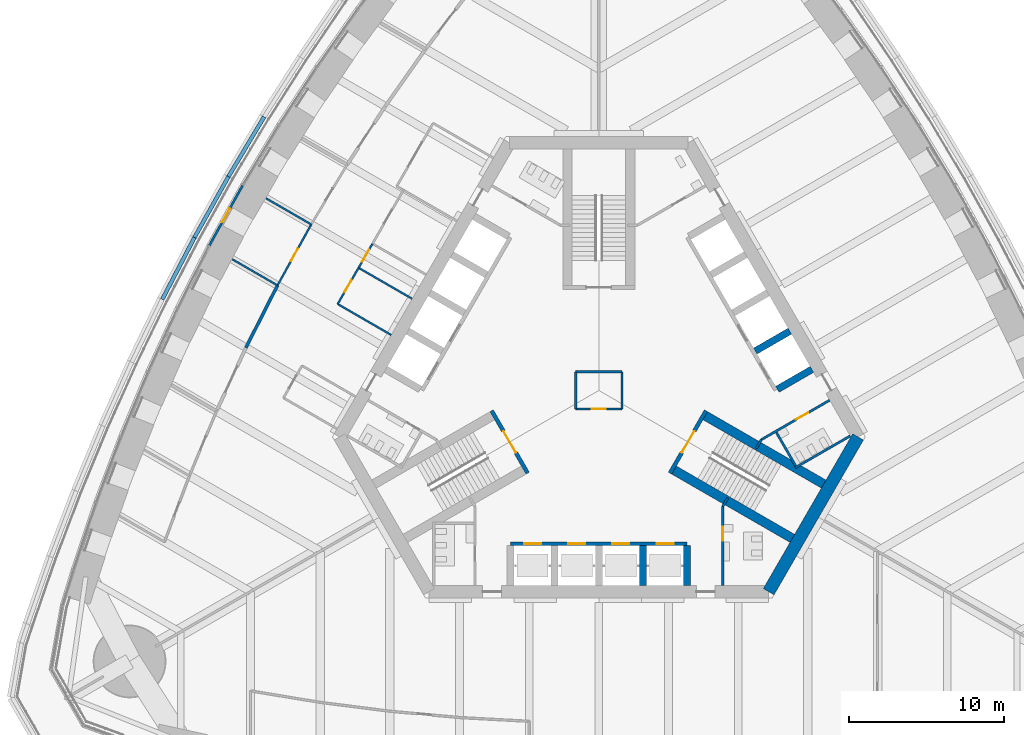
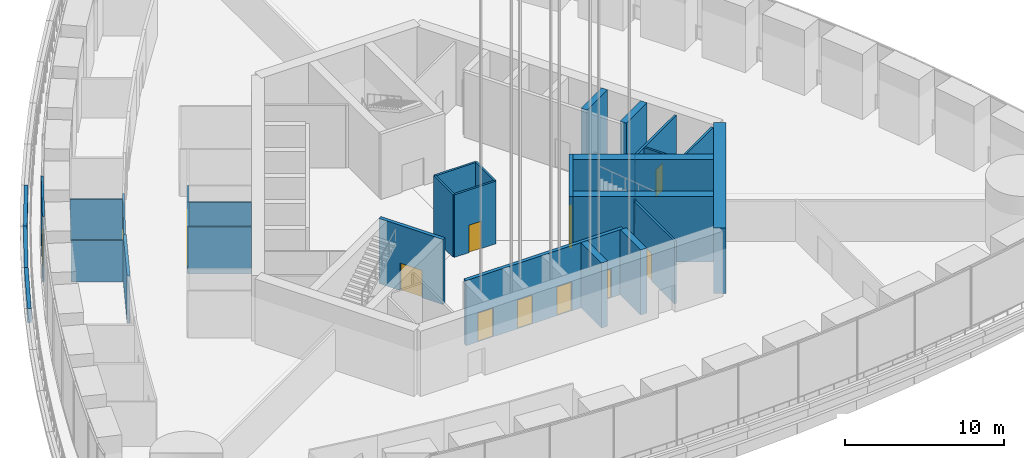
# One storey, part 15 of 33: 32 walls, 13 doors, 13 openings.
"""IFC4 building model written with IfcOpenShell, lengths in metres."""

from ifc_helpers import new_model, si_unit, direction, frame, frame_2d, origin, place, context, subcontext, project, spatial, rectangle, extrude, material, layer, layer_set, type_object, element, fill, save


model = new_model("IFC4")

# Units and contexts
model_context = context("Model", 3, precision=1e-05, world=origin(), true_north=direction((0.0, 1.0)))
body_context = subcontext(model_context, "Body", "Model", "MODEL_VIEW")
ifc_project = project(units=[si_unit("LENGTHUNIT", "METRE"), si_unit("AREAUNIT", "SQUARE_METRE"), si_unit("VOLUMEUNIT", "CUBIC_METRE"), si_unit("PLANEANGLEUNIT", "RADIAN"), si_unit("MASSUNIT", "GRAM", prefix="KILO")], contexts=[model_context])

# Site, building, storey
site_placement = place(None, origin())
site = spatial("IfcSite", under=ifc_project, at=site_placement, CompositionType="ELEMENT")
building_placement = place(site_placement, origin())
building = spatial("IfcBuilding", under=site, at=building_placement, Name="Trefoil Bronze Tower", CompositionType="ELEMENT")
storey_placement = place(building_placement, frame((0.0, 0.0, 98.10009765625)))
storey = spatial("IfcBuildingStorey", under=building, at=storey_placement, Name="L22", CompositionType="ELEMENT", Elevation=98.10009765625)

# Walls
ifc_material_1 = material(Name="Gypsum board on steel studs", Category="steel")
ifc_layer_1 = layer(ifc_material_1, 0.199951171875)
ifc_layer_set_1 = layer_set([ifc_layer_1], Name="Acoustic partition 200")
wall_type_1 = type_object("IfcWallType", Name="Acoustic partition 200", PredefinedType="PARTITIONING", material=ifc_layer_set_1)
wall_1_placement = place(storey_placement, frame((-20.755615234375, 6.787109375, 0.0), z_axis=(0.0, 0.0, 1.0), x_axis=(-0.452471679136, -0.891778772779, 0.0)))
element("IfcWall", 1, at=wall_1_placement, inside=storey, type_object=wall_type_1, Name="Partition F3 L22", PredefinedType="PARTITIONING", context=body_context, shape_type="SweptSolid", body=[
    extrude(rectangle(XDim=4.506591796875, YDim=0.199951171875, at=frame_2d((2.25341796875, 0.0))), origin(), (0.0, 0.0, 1.0), 3.599853515625),
])
ifc_material_2 = material(Name="Concrete B80", Category="concrete")
ifc_layer_2 = layer(ifc_material_2, 0.800048828125)
ifc_layer_set_2 = layer_set([ifc_layer_2], Name="Core wall 800")
wall_type_2 = type_object("IfcWallType", Name="Core wall 800", PredefinedType="SHEAR", material=ifc_layer_set_2)
wall_2_placement = place(storey_placement, frame((10.9697265625, -13.0, 0.0), z_axis=(0.0, 0.0, 1.0), x_axis=(0.499995765644, 0.866027848477, 0.0)))
element("IfcWall", 2, at=wall_2_placement, inside=storey, type_object=wall_type_2, Name="Core short wall 1 L22", PredefinedType="SHEAR", context=body_context, shape_type="SweptSolid", body=[
    extrude(rectangle(XDim=11.546875, YDim=0.800048828125, at=frame_2d((5.7734375, 0.0))), origin(), (0.0, 0.0, 1.0), 5.0),
])

# Wall, opening, door
ifc_material_3 = material(Name="Bronze-framed glazed screen", Category="glass")
ifc_layer_3 = layer(ifc_material_3, 0.14990234375)
ifc_layer_set_3 = layer_set([ifc_layer_3], Name="Entrance screen 150")
wall_type_3 = type_object("IfcWallType", Name="Entrance screen 150", PredefinedType="SOLIDWALL", material=ifc_layer_set_3)
wall_3_placement = place(storey_placement, frame((-23.010498046875, 13.24267578125, 0.0), z_axis=(0.0, 0.0, 1.0), x_axis=(-0.48433245205, -0.874884035682, 0.0)))
wall_3 = element("IfcWall", 3, at=wall_3_placement, inside=storey, type_object=wall_type_3, Name="Roof access screen CW-D L22 F3", PredefinedType="SOLIDWALL", context=body_context, shape_type="SweptSolid", body=[
    extrude(rectangle(XDim=4.430908203125, YDim=0.14990234375, at=frame_2d((2.21533203125, 0.0))), origin(), (0.0, 0.0, 1.0), 4.97998046875),
])
opening_1_placement = place(wall_3_placement, frame((1.71533203125, 0.0, 0.0)))
opening_1 = element("IfcOpeningElement", 4, at=opening_1_placement, cuts=wall_3, Name="Opening DE5", PredefinedType="OPENING", context=body_context, shape_type="SweptSolid", body=[
    extrude(rectangle(XDim=1.0, YDim=2.10009765625, at=frame_2d((0.5, 1.050048828125))), frame((0.0, 0.0849609375, 0.0), z_axis=(0.0, -1.0, 0.0), x_axis=(1.0, 0.0, 0.0)), (0.0, 0.0, 1.0), 0.169921875),
])
ifc_material_4 = material(Name="Steel door", Category="steel")
door_type_1 = type_object("IfcDoorType", Name="Roof access door 1000", OperationType="SINGLE_SWING_LEFT", PredefinedType="DOOR", material=ifc_material_4)
door_1_placement = place(opening_1_placement, origin())
door_1 = element("IfcDoor", 5, at=door_1_placement, inside=storey, type_object=door_type_1, Name="Roof access door F3 L22", OperationType="SINGLE_SWING_LEFT", OverallHeight=2.10009765625, OverallWidth=1.0, PredefinedType="DOOR", context=body_context, shape_type="SweptSolid", body=[
    extrude(rectangle(XDim=1.0, YDim=2.10009765625, at=frame_2d((0.5, 1.050048828125))), frame((0.0, 0.02490234375, 0.0), z_axis=(0.0, -1.0, 0.0), x_axis=(1.0, 0.0, 0.0)), (0.0, 0.0, 1.0), 0.050048828125),
])
fill(opening_1, door_1)

ifc_material_5 = material(Name="Glazed partition", Category="glass")
ifc_layer_4 = layer(ifc_material_5, 0.1201171875)
ifc_layer_set_4 = layer_set([ifc_layer_4], Name="Glazed partition 120")
wall_type_4 = type_object("IfcWallType", Name="Glazed partition 120", PredefinedType="PARTITIONING", material=ifc_layer_set_4)
wall_4_placement = place(storey_placement, frame((-15.518798828125, 7.920654296875, 0.0), z_axis=(0.0, 0.0, 1.0), x_axis=(-0.50000943426, -0.866019956843, 0.0)))
wall_4 = element("IfcWall", 6, at=wall_4_placement, inside=storey, type_object=wall_type_4, Name="Partition F3 L22", PredefinedType="PARTITIONING", context=body_context, shape_type="SweptSolid", body=[
    extrude(rectangle(XDim=2.7001953125, YDim=0.1201171875, at=frame_2d((1.35009765625, 0.0))), origin(), (0.0, 0.0, 1.0), 3.599853515625),
])
opening_2_placement = place(wall_4_placement, frame((0.89990234375, 0.0, 0.0)))
opening_2 = element("IfcOpeningElement", 7, at=opening_2_placement, cuts=wall_4, Name="Opening D8", PredefinedType="OPENING", context=body_context, shape_type="SweptSolid", body=[
    extrude(rectangle(XDim=0.89990234375, YDim=2.10009765625, at=frame_2d((0.449951171875, 1.050048828125))), frame((0.0, 0.070068359375, 0.0), z_axis=(0.0, -1.0, 0.0), x_axis=(1.0, 0.0, 0.0)), (0.0, 0.0, 1.0), 0.14013671875),
])
ifc_material_6 = material(Name="Timber door", Category="wood")
door_type_2 = type_object("IfcDoorType", Name="Office door 900", OperationType="SINGLE_SWING_LEFT", PredefinedType="DOOR", material=ifc_material_6)
door_2_placement = place(opening_2_placement, origin())
door_2 = element("IfcDoor", 8, at=door_2_placement, inside=storey, type_object=door_type_2, Name="Pantry door F3 L22", OperationType="SINGLE_SWING_LEFT", OverallHeight=2.10009765625, OverallWidth=0.89990234375, PredefinedType="DOOR", context=body_context, shape_type="SweptSolid", body=[
    extrude(rectangle(XDim=0.89990234375, YDim=2.10009765625, at=frame_2d((0.449951171875, 1.050048828125))), frame((0.0, 0.02490234375, 0.0), z_axis=(0.0, -1.0, 0.0), x_axis=(1.0, 0.0, 0.0)), (0.0, 0.0, 1.0), 0.050048828125),
])
fill(opening_2, door_2)

wall_5_placement = place(storey_placement, frame((-14.618896484375, 9.4794921875, 0.0), z_axis=(0.0, 0.0, 1.0), x_axis=(-0.499961193289, -0.866047807691, 0.0)))
wall_5 = element("IfcWall", 9, at=wall_5_placement, inside=storey, type_object=wall_type_4, Name="Partition F3 L22", PredefinedType="PARTITIONING", context=body_context, shape_type="SweptSolid", body=[
    extrude(rectangle(XDim=1.800048828125, YDim=0.1201171875, at=frame_2d((0.89990234375, 0.0))), origin(), (0.0, 0.0, 1.0), 3.599853515625),
])
opening_3_placement = place(wall_5_placement, frame((0.449951171875, 0.0, 0.0)))
opening_3 = element("IfcOpeningElement", 10, at=opening_3_placement, cuts=wall_5, Name="Opening D8", PredefinedType="OPENING", context=body_context, shape_type="SweptSolid", body=[
    extrude(rectangle(XDim=0.89990234375, YDim=2.10009765625, at=frame_2d((0.449951171875, 1.050048828125))), frame((0.0, 0.070068359375, 0.0), z_axis=(0.0, -1.0, 0.0), x_axis=(1.0, 0.0, 0.0)), (0.0, 0.0, 1.0), 0.14013671875),
])
door_3_placement = place(opening_3_placement, origin())
door_3 = element("IfcDoor", 11, at=door_3_placement, inside=storey, type_object=door_type_2, Name="Focus room door F3 L22", OperationType="SINGLE_SWING_RIGHT", OverallHeight=2.10009765625, OverallWidth=0.89990234375, PredefinedType="DOOR", context=body_context, shape_type="SweptSolid", body=[
    extrude(rectangle(XDim=0.89990234375, YDim=2.10009765625, at=frame_2d((0.449951171875, 1.050048828125))), frame((0.0, 0.02490234375, 0.0), z_axis=(0.0, -1.0, 0.0), x_axis=(1.0, 0.0, 0.0)), (0.0, 0.0, 1.0), 0.050048828125),
])
fill(opening_3, door_3)

# Walls
for number, where, z_axis, x_axis, name in (
    (12, (-12.0546875, 5.920654296875, 0.0), (0.0, 0.0, 1.0), (-0.866026010844, 0.49999894854, 0.0), "Partition F3 L22"),
    (13, (-13.40478515625, 3.582275390625, 0.0), (0.0, 0.0, 1.0), (-0.866026010844, 0.49999894854, 0.0), "Partition F3 L22"),
):
    element("IfcWall", number, at=place(storey_placement, frame(where, z_axis=z_axis, x_axis=x_axis)), inside=storey, type_object=wall_type_4, Name=name, PredefinedType="PARTITIONING", context=body_context, shape_type="SweptSolid", body=[
        extrude(rectangle(XDim=4.0, YDim=0.1201171875, at=frame_2d((2.0, 0.0))), origin(), (0.0, 0.0, 1.0), 3.599853515625),
    ])

# Wall, opening, door
wall_6_placement = place(storey_placement, frame((-18.575927734375, 10.724853515625, 0.0), z_axis=(0.0, 0.0, 1.0), x_axis=(-0.484292898211, -0.874905931368, 0.0)))
wall_6 = element("IfcWall", 14, at=wall_6_placement, inside=storey, type_object=wall_type_4, Name="Partition F3 L22", PredefinedType="PARTITIONING", context=body_context, shape_type="SweptSolid", body=[
    extrude(rectangle(XDim=4.500732421875, YDim=0.1201171875, at=frame_2d((2.25048828125, 0.0))), origin(), (0.0, 0.0, 1.0), 3.599853515625),
])
opening_4_placement = place(wall_6_placement, frame((1.800048828125, 0.0, 0.0)))
opening_4 = element("IfcOpeningElement", 15, at=opening_4_placement, cuts=wall_6, Name="Opening D8", PredefinedType="OPENING", context=body_context, shape_type="SweptSolid", body=[
    extrude(rectangle(XDim=0.89990234375, YDim=2.10009765625, at=frame_2d((0.449951171875, 1.050048828125))), frame((0.0, 0.070068359375, 0.0), z_axis=(0.0, -1.0, 0.0), x_axis=(1.0, 0.0, 0.0)), (0.0, 0.0, 1.0), 0.14013671875),
])
door_4_placement = place(opening_4_placement, frame((0.89990234375, 0.0, 0.0), z_axis=(0.0, 0.0, 1.0), x_axis=(-1.0, 0.0, 0.0)))
door_4 = element("IfcDoor", 16, at=door_4_placement, inside=storey, type_object=door_type_2, Name="Roof access plant room door F3 L22", OperationType="SINGLE_SWING_RIGHT", OverallHeight=2.10009765625, OverallWidth=0.89990234375, PredefinedType="DOOR", context=body_context, shape_type="SweptSolid", body=[
    extrude(rectangle(XDim=0.89990234375, YDim=2.10009765625, at=frame_2d((0.449951171875, 1.050048828125))), frame((0.0, 0.02490234375, 0.0), z_axis=(0.0, -1.0, 0.0), x_axis=(1.0, 0.0, 0.0)), (0.0, 0.0, 1.0), 0.050048828125),
])
fill(opening_4, door_4)

# Walls
wall_7_placement = place(storey_placement, frame((-18.575927734375, 10.724853515625, 0.0), z_axis=(0.0, 0.0, 1.0), x_axis=(-0.866014270972, 0.500019282102, 0.0)))
element("IfcWall", 17, at=wall_7_placement, inside=storey, type_object=wall_type_4, Name="Partition F3 L22", PredefinedType="PARTITIONING", context=body_context, shape_type="SweptSolid", body=[
    extrude(rectangle(XDim=3.369873046875, YDim=0.1201171875, at=frame_2d((1.68505859375, 0.0))), origin(), (0.0, 0.0, 1.0), 3.199951171875),
])
wall_8_placement = place(storey_placement, frame((-20.755615234375, 6.787109375, 0.0), z_axis=(0.0, 0.0, 1.0), x_axis=(-0.866022675988, 0.500004724652, 0.0)))
element("IfcWall", 18, at=wall_8_placement, inside=storey, type_object=wall_type_4, Name="Partition F3 L22", PredefinedType="PARTITIONING", context=body_context, shape_type="SweptSolid", body=[
    extrude(rectangle(XDim=3.369140625, YDim=0.1201171875, at=frame_2d((1.6845703125, 0.0))), origin(), (0.0, 0.0, 1.0), 3.199951171875),
])
ifc_material_7 = material(Name="Concrete B80", Category="concrete")
ifc_layer_5 = layer(ifc_material_7, 0.449951171875)
ifc_layer_set_5 = layer_set([ifc_layer_5], Name="Outrigger shaft wall 450")
wall_type_5 = type_object("IfcWallType", Name="Outrigger shaft wall 450", PredefinedType="SHEAR", material=ifc_layer_set_5)
for number, where, z_axis, x_axis, name in (
    (19, (2.85009765625, -10.02490234375, 0.0), (0.0, 0.0, 1.0), (0.0, -1.0, 0.0), "Lift shaft side wall A3 L22"),
    (20, (5.699951171875, -10.02490234375, 0.0), (0.0, 0.0, 1.0), (0.0, -1.0, 0.0), "Lift shaft side wall A4 L22"),
):
    element("IfcWall", number, at=place(storey_placement, frame(where, z_axis=z_axis, x_axis=x_axis)), inside=storey, type_object=wall_type_5, Name=name, PredefinedType="SHEAR", context=body_context, shape_type="SweptSolid", body=[
        extrude(rectangle(XDim=2.5751953125, YDim=0.449951171875, at=frame_2d((1.28759765625, 0.0))), origin(), (0.0, 0.0, 1.0), 5.0),
    ])
for number, where, z_axis, x_axis, name in (
    (21, (11.531982421875, 0.076171875, 0.0), (0.0, 0.0, 1.0), (0.866005588531, 0.500034319456, 0.0), "Lift shaft side wall B0 L22"),
    (22, (10.10693359375, 2.54443359375, 0.0), (0.0, 0.0, 1.0), (0.866046643894, 0.499963209246, 0.0), "Lift shaft side wall B1 L22"),
):
    element("IfcWall", number, at=place(storey_placement, frame(where, z_axis=z_axis, x_axis=x_axis)), inside=storey, type_object=wall_type_5, Name=name, PredefinedType="SHEAR", context=body_context, shape_type="SweptSolid", body=[
        extrude(rectangle(XDim=2.574951171875, YDim=0.449951171875, at=frame_2d((1.28759765625, 0.0))), origin(), (0.0, 0.0, 1.0), 5.0),
    ])
ifc_material_8 = material(Name="Concrete B80", Category="concrete")
ifc_layer_6 = layer(ifc_material_8, 0.25)
ifc_layer_set_6 = layer_set([ifc_layer_6], Name="Parapet 250")
wall_type_6 = type_object("IfcWallType", Name="Parapet 250", PredefinedType="PARAPET", material=ifc_layer_set_6)
wall_9_placement = place(storey_placement, frame((-21.6162109375, 17.67626953125, 0.0), z_axis=(0.0, 0.0, 1.0), x_axis=(-0.51252396108, -0.858672923364, 0.0)))
element("IfcWall", 23, at=wall_9_placement, inside=storey, type_object=wall_type_6, Name="Parapet L22.46", PredefinedType="PARAPET", context=body_context, shape_type="SweptSolid", body=[
    extrude(rectangle(XDim=4.50048828125, YDim=0.25, at=frame_2d((2.250244140625, 0.0))), origin(), (0.0, 0.0, 1.0), 1.099853515625),
])
wall_10_placement = place(storey_placement, frame((-23.9228515625, 13.811767578125, 0.0), z_axis=(0.0, 0.0, 1.0), x_axis=(-0.487373854787, -0.873193406795, 0.0)))
element("IfcWall", 24, at=wall_10_placement, inside=storey, type_object=wall_type_6, Name="Parapet L22.47", PredefinedType="PARAPET", context=body_context, shape_type="SweptSolid", body=[
    extrude(rectangle(XDim=4.500244140625, YDim=0.25, at=frame_2d((2.25, 0.0))), origin(), (0.0, 0.0, 1.0), 1.099853515625),
])
wall_11_placement = place(storey_placement, frame((-26.1162109375, 9.882080078125, 0.0), z_axis=(0.0, 0.0, 1.0), x_axis=(-0.461852697957, -0.886956642339, 0.0)))
element("IfcWall", 25, at=wall_11_placement, inside=storey, type_object=wall_type_6, Name="Parapet L22.48", PredefinedType="PARAPET", context=body_context, shape_type="SweptSolid", body=[
    extrude(rectangle(XDim=4.50439453125, YDim=0.25, at=frame_2d((2.252197265625, 0.0))), origin(), (0.0, 0.0, 1.0), 1.099853515625),
])

# Wall, opening, door
ifc_material_9 = material(Name="Gypsum board on steel studs", Category="steel")
ifc_layer_7 = layer(ifc_material_9, 0.14990234375)
ifc_layer_set_7 = layer_set([ifc_layer_7], Name="Partition 150")
wall_type_7 = type_object("IfcWallType", Name="Partition 150", PredefinedType="PARTITIONING", material=ifc_layer_set_7)
wall_12_placement = place(storey_placement, frame((8.0, -7.5, 0.0), z_axis=(0.0, 0.0, 1.0), x_axis=(0.0, -1.0, 0.0)))
wall_12 = element("IfcWall", 26, at=wall_12_placement, inside=storey, type_object=wall_type_7, Name="Passage wall F1+ L22", PredefinedType="PARTITIONING", context=body_context, shape_type="SweptSolid", body=[
    extrude(rectangle(XDim=5.10009765625, YDim=0.14990234375, at=frame_2d((2.550048828125, 0.0))), origin(), (0.0, 0.0, 1.0), 4.7998046875),
])
opening_5_placement = place(wall_12_placement, frame((1.300048828125, 0.0, 0.0)))
opening_5 = element("IfcOpeningElement", 27, at=opening_5_placement, cuts=wall_12, Name="Opening D3", PredefinedType="OPENING", context=body_context, shape_type="SweptSolid", body=[
    extrude(rectangle(XDim=0.89990234375, YDim=2.10009765625, at=frame_2d((0.449951171875, 1.050048828125))), frame((0.0, 0.0849609375, 0.0), z_axis=(0.0, -1.0, 0.0), x_axis=(1.0, 0.0, 0.0)), (0.0, 0.0, 1.0), 0.169921875),
])
ifc_material_10 = material(Name="Timber door", Category="wood")
door_type_3 = type_object("IfcDoorType", Name="WC door 900", OperationType="SINGLE_SWING_LEFT", PredefinedType="DOOR", material=ifc_material_10)
door_5_placement = place(opening_5_placement, origin())
door_5 = element("IfcDoor", 28, at=door_5_placement, inside=storey, type_object=door_type_3, Name="WC (men) door L22", OperationType="SINGLE_SWING_LEFT", OverallHeight=2.10009765625, OverallWidth=0.89990234375, PredefinedType="DOOR", context=body_context, shape_type="SweptSolid", body=[
    extrude(rectangle(XDim=0.89990234375, YDim=2.10009765625, at=frame_2d((0.449951171875, 1.050048828125))), frame((0.0, 0.02490234375, 0.0), z_axis=(0.0, -1.0, 0.0), x_axis=(1.0, 0.0, 0.0)), (0.0, 0.0, 1.0), 0.050048828125),
])
fill(opening_5, door_5)

wall_13_placement = place(storey_placement, frame((10.4951171875, -3.17822265625, 0.0), z_axis=(0.0, 0.0, 1.0), x_axis=(0.86602216432, 0.500005610874, 0.0)))
wall_13 = element("IfcWall", 29, at=wall_13_placement, inside=storey, type_object=wall_type_7, Name="Passage wall F2- L22", PredefinedType="PARTITIONING", context=body_context, shape_type="SweptSolid", body=[
    extrude(rectangle(XDim=5.10009765625, YDim=0.14990234375, at=frame_2d((2.550048828125, 0.0))), origin(), (0.0, 0.0, 1.0), 4.7998046875),
])
opening_6_placement = place(wall_13_placement, frame((2.60009765625, 0.0, 0.0)))
opening_6 = element("IfcOpeningElement", 30, at=opening_6_placement, cuts=wall_13, Name="Opening D3", PredefinedType="OPENING", context=body_context, shape_type="SweptSolid", body=[
    extrude(rectangle(XDim=0.89990234375, YDim=2.10009765625, at=frame_2d((0.449951171875, 1.050048828125))), frame((0.0, 0.0849609375, 0.0), z_axis=(0.0, -1.0, 0.0), x_axis=(1.0, 0.0, 0.0)), (0.0, 0.0, 1.0), 0.169921875),
])
door_6_placement = place(opening_6_placement, frame((0.89990234375, 0.0, 0.0), z_axis=(0.0, 0.0, 1.0), x_axis=(-1.0, 0.0, 0.0)))
door_6 = element("IfcDoor", 31, at=door_6_placement, inside=storey, type_object=door_type_3, Name="WC (women) door L22", OperationType="SINGLE_SWING_RIGHT", OverallHeight=2.10009765625, OverallWidth=0.89990234375, PredefinedType="DOOR", context=body_context, shape_type="SweptSolid", body=[
    extrude(rectangle(XDim=0.89990234375, YDim=2.10009765625, at=frame_2d((0.449951171875, 1.050048828125))), frame((0.0, 0.02490234375, 0.0), z_axis=(0.0, -1.0, 0.0), x_axis=(1.0, 0.0, 0.0)), (0.0, 0.0, 1.0), 0.050048828125),
])
fill(opening_6, door_6)

# Walls
for number, where, z_axis, x_axis, name in (
    (32, (8.0, -7.5, 0.0), (0.0, 0.0, 1.0), (0.499842556608, 0.866116284689, 0.0), "WC wall ST1-1 L22"),
    (33, (10.4951171875, -3.17822265625, 0.0), (0.0, 0.0, 1.0), (-0.499842556608, -0.866116284689, 0.0), "WC wall ST1+1 L22"),
):
    element("IfcWall", number, at=place(storey_placement, frame(where, z_axis=z_axis, x_axis=x_axis)), inside=storey, type_object=wall_type_7, Name=name, PredefinedType="PARTITIONING", context=body_context, shape_type="SweptSolid", body=[
        extrude(rectangle(XDim=0.645263671875, YDim=0.14990234375, at=frame_2d((0.32275390625, 0.0))), origin(), (0.0, 0.0, 1.0), 4.7998046875),
    ])
wall_14_placement = place(storey_placement, frame((12.691162109375, -4.98193359375, 0.0), z_axis=(0.0, 0.0, 1.0), x_axis=(0.8660249478, 0.500000789788, 0.0)))
element("IfcWall", 34, at=wall_14_placement, inside=storey, type_object=wall_type_7, Name="WC partition WC (women) L22", PredefinedType="PARTITIONING", context=body_context, shape_type="SweptSolid", body=[
    extrude(rectangle(XDim=4.10009765625, YDim=0.14990234375, at=frame_2d((2.050048828125, 0.0))), origin(), (0.0, 0.0, 1.0), 4.7998046875),
])
wall_15_placement = place(storey_placement, frame((11.463623046875, -2.70556640625, 0.0), z_axis=(0.0, 0.0, 1.0), x_axis=(0.50001992892, -0.866013897511, 0.0)))
element("IfcWall", 35, at=wall_15_placement, inside=storey, type_object=wall_type_7, Name="WC partition WC (women) L22", PredefinedType="PARTITIONING", context=body_context, shape_type="SweptSolid", body=[
    extrude(rectangle(XDim=2.51025390625, YDim=0.14990234375, at=frame_2d((1.255126953125, 0.0))), origin(), (0.0, 0.0, 1.0), 4.7998046875),
])

# Wall, opening, door
ifc_material_11 = material(Name="Gypsum board on steel studs", Category="steel")
ifc_layer_8 = layer(ifc_material_11, 0.14990234375)
ifc_layer_set_8 = layer_set([ifc_layer_8], Name="Riser wall 150")
wall_type_8 = type_object("IfcWallType", Name="Riser wall 150", PredefinedType="PARTITIONING", material=ifc_layer_set_8)
wall_16_placement = place(storey_placement, frame((-1.5, -1.199951171875, 0.0), z_axis=(0.0, 0.0, 1.0), x_axis=(1.0, 0.0, 0.0)))
wall_16 = element("IfcWall", 36, at=wall_16_placement, inside=storey, type_object=wall_type_8, Name="Riser wall L22", PredefinedType="PARTITIONING", context=body_context, shape_type="SweptSolid", body=[
    extrude(rectangle(XDim=3.0, YDim=0.14990234375, at=frame_2d((1.5, 0.0))), origin(), (0.0, 0.0, 1.0), 4.7998046875),
])
opening_7_placement = place(wall_16_placement, frame((1.050048828125, 0.0, 0.0)))
opening_7 = element("IfcOpeningElement", 37, at=opening_7_placement, cuts=wall_16, Name="Opening D4", PredefinedType="OPENING", context=body_context, shape_type="SweptSolid", body=[
    extrude(rectangle(XDim=0.89990234375, YDim=2.10009765625, at=frame_2d((0.449951171875, 1.050048828125))), frame((0.0, 0.0849609375, 0.0), z_axis=(0.0, -1.0, 0.0), x_axis=(1.0, 0.0, 0.0)), (0.0, 0.0, 1.0), 0.169921875),
])
ifc_material_12 = material(Name="Steel door", Category="steel")
door_type_4 = type_object("IfcDoorType", Name="Riser door 900", OperationType="SINGLE_SWING_LEFT", PredefinedType="DOOR", material=ifc_material_12)
door_7_placement = place(opening_7_placement, frame((0.89990234375, 0.0, 0.0), z_axis=(0.0, 0.0, 1.0), x_axis=(-1.0, 0.0, 0.0)))
door_7 = element("IfcDoor", 38, at=door_7_placement, inside=storey, type_object=door_type_4, Name="Riser door L22", OperationType="SINGLE_SWING_LEFT", OverallHeight=2.10009765625, OverallWidth=0.89990234375, PredefinedType="DOOR", context=body_context, shape_type="SweptSolid", body=[
    extrude(rectangle(XDim=0.89990234375, YDim=2.10009765625, at=frame_2d((0.449951171875, 1.050048828125))), frame((0.0, 0.02490234375, 0.0), z_axis=(0.0, -1.0, 0.0), x_axis=(1.0, 0.0, 0.0)), (0.0, 0.0, 1.0), 0.050048828125),
])
fill(opening_7, door_7)

# Walls
wall_17_placement = place(storey_placement, frame((1.5, -1.199951171875, 0.0), z_axis=(0.0, 0.0, 1.0), x_axis=(0.0, 1.0, 0.0)))
element("IfcWall", 39, at=wall_17_placement, inside=storey, type_object=wall_type_8, Name="Riser wall L22", PredefinedType="PARTITIONING", context=body_context, shape_type="SweptSolid", body=[
    extrude(rectangle(XDim=2.39990234375, YDim=0.14990234375, at=frame_2d((1.199951171875, 0.0))), origin(), (0.0, 0.0, 1.0), 4.7998046875),
])
wall_18_placement = place(storey_placement, frame((1.5, 1.199951171875, 0.0), z_axis=(0.0, 0.0, 1.0), x_axis=(-1.0, 0.0, 0.0)))
element("IfcWall", 40, at=wall_18_placement, inside=storey, type_object=wall_type_8, Name="Riser wall L22", PredefinedType="PARTITIONING", context=body_context, shape_type="SweptSolid", body=[
    extrude(rectangle(XDim=3.0, YDim=0.14990234375, at=frame_2d((1.5, 0.0))), origin(), (0.0, 0.0, 1.0), 4.7998046875),
])
wall_19_placement = place(storey_placement, frame((-1.5, 1.199951171875, 0.0), z_axis=(0.0, 0.0, 1.0), x_axis=(0.0, -1.0, 0.0)))
element("IfcWall", 41, at=wall_19_placement, inside=storey, type_object=wall_type_8, Name="Riser wall L22", PredefinedType="PARTITIONING", context=body_context, shape_type="SweptSolid", body=[
    extrude(rectangle(XDim=2.39990234375, YDim=0.14990234375, at=frame_2d((1.199951171875, 0.0))), origin(), (0.0, 0.0, 1.0), 4.7998046875),
])

# Wall, openings, doors
ifc_material_13 = material(Name="Concrete B80", Category="concrete")
ifc_layer_9 = layer(ifc_material_13, 0.25)
ifc_layer_set_9 = layer_set([ifc_layer_9], Name="Shaft wall 250")
wall_type_9 = type_object("IfcWallType", Name="Shaft wall 250", PredefinedType="SHEAR", material=ifc_layer_set_9)
wall_20_placement = place(storey_placement, frame((-5.699951171875, -9.89990234375, 0.0), z_axis=(0.0, 0.0, 1.0), x_axis=(1.0, 0.0, 0.0)))
wall_20 = element("IfcWall", 42, at=wall_20_placement, inside=storey, type_object=wall_type_9, Name="Lift shaft front wall A L22", PredefinedType="SHEAR", context=body_context, shape_type="SweptSolid", body=[
    extrude(rectangle(XDim=11.39990234375, YDim=0.25, at=frame_2d((5.699951171875, 0.0))), origin(), (0.0, 0.0, 1.0), 5.0),
])
opening_8_placement = place(wall_20_placement, frame((0.875, 0.0, 0.0)))
opening_8 = element("IfcOpeningElement", 43, at=opening_8_placement, cuts=wall_20, Name="Opening LD-P21", PredefinedType="OPENING", context=body_context, shape_type="SweptSolid", body=[
    extrude(rectangle(XDim=1.10009765625, YDim=2.199951171875, at=frame_2d((0.550048828125, 1.10009765625))), frame((0.0, 0.135009765625, 0.0), z_axis=(0.0, -1.0, 0.0), x_axis=(1.0, 0.0, 0.0)), (0.0, 0.0, 1.0), 0.27001953125),
])
opening_9_placement = place(wall_20_placement, frame((3.72509765625, 0.0, 0.0)))
opening_9 = element("IfcOpeningElement", 44, at=opening_9_placement, cuts=wall_20, Name="Opening LD-P22", PredefinedType="OPENING", context=body_context, shape_type="SweptSolid", body=[
    extrude(rectangle(XDim=1.10009765625, YDim=2.199951171875, at=frame_2d((0.550048828125, 1.10009765625))), frame((0.0, 0.135009765625, 0.0), z_axis=(0.0, -1.0, 0.0), x_axis=(1.0, 0.0, 0.0)), (0.0, 0.0, 1.0), 0.27001953125),
])
opening_10_placement = place(wall_20_placement, frame((6.574951171875, 0.0, 0.0)))
opening_10 = element("IfcOpeningElement", 45, at=opening_10_placement, cuts=wall_20, Name="Opening LD-P23", PredefinedType="OPENING", context=body_context, shape_type="SweptSolid", body=[
    extrude(rectangle(XDim=1.10009765625, YDim=2.199951171875, at=frame_2d((0.550048828125, 1.10009765625))), frame((0.0, 0.135009765625, 0.0), z_axis=(0.0, -1.0, 0.0), x_axis=(1.0, 0.0, 0.0)), (0.0, 0.0, 1.0), 0.27001953125),
])
opening_11_placement = place(wall_20_placement, frame((9.425048828125, 0.0, 0.0)))
opening_11 = element("IfcOpeningElement", 46, at=opening_11_placement, cuts=wall_20, Name="Opening LD-P24", PredefinedType="OPENING", context=body_context, shape_type="SweptSolid", body=[
    extrude(rectangle(XDim=1.10009765625, YDim=2.199951171875, at=frame_2d((0.550048828125, 1.10009765625))), frame((0.0, 0.135009765625, 0.0), z_axis=(0.0, -1.0, 0.0), x_axis=(1.0, 0.0, 0.0)), (0.0, 0.0, 1.0), 0.27001953125),
])
ifc_material_14 = material(Name="Steel door", Category="steel")
door_type_5 = type_object("IfcDoorType", Name="Lift landing door 1100", OperationType="DOUBLE_DOOR_SLIDING", PredefinedType="DOOR", material=ifc_material_14)
door_8_placement = place(opening_8_placement, origin())
door_8 = element("IfcDoor", 47, at=door_8_placement, inside=storey, type_object=door_type_5, Name="Lift P21 landing door L22", OperationType="DOUBLE_DOOR_SLIDING", OverallHeight=2.199951171875, OverallWidth=1.10009765625, PredefinedType="DOOR", context=body_context, shape_type="SweptSolid", body=[
    extrude(rectangle(XDim=1.10009765625, YDim=2.199951171875, at=frame_2d((0.550048828125, 1.10009765625))), frame((0.0, 0.02490234375, 0.0), z_axis=(0.0, -1.0, 0.0), x_axis=(1.0, 0.0, 0.0)), (0.0, 0.0, 1.0), 0.050048828125),
])
fill(opening_8, door_8)
door_9_placement = place(opening_9_placement, origin())
door_9 = element("IfcDoor", 48, at=door_9_placement, inside=storey, type_object=door_type_5, Name="Lift P22 landing door L22", OperationType="DOUBLE_DOOR_SLIDING", OverallHeight=2.199951171875, OverallWidth=1.10009765625, PredefinedType="DOOR", context=body_context, shape_type="SweptSolid", body=[
    extrude(rectangle(XDim=1.10009765625, YDim=2.199951171875, at=frame_2d((0.550048828125, 1.10009765625))), frame((0.0, 0.02490234375, 0.0), z_axis=(0.0, -1.0, 0.0), x_axis=(1.0, 0.0, 0.0)), (0.0, 0.0, 1.0), 0.050048828125),
])
fill(opening_9, door_9)
door_10_placement = place(opening_10_placement, origin())
door_10 = element("IfcDoor", 49, at=door_10_placement, inside=storey, type_object=door_type_5, Name="Lift P23 landing door L22", OperationType="DOUBLE_DOOR_SLIDING", OverallHeight=2.199951171875, OverallWidth=1.10009765625, PredefinedType="DOOR", context=body_context, shape_type="SweptSolid", body=[
    extrude(rectangle(XDim=1.10009765625, YDim=2.199951171875, at=frame_2d((0.550048828125, 1.10009765625))), frame((0.0, 0.02490234375, 0.0), z_axis=(0.0, -1.0, 0.0), x_axis=(1.0, 0.0, 0.0)), (0.0, 0.0, 1.0), 0.050048828125),
])
fill(opening_10, door_10)
door_11_placement = place(opening_11_placement, origin())
door_11 = element("IfcDoor", 50, at=door_11_placement, inside=storey, type_object=door_type_5, Name="Lift P24 landing door L22", OperationType="DOUBLE_DOOR_SLIDING", OverallHeight=2.199951171875, OverallWidth=1.10009765625, PredefinedType="DOOR", context=body_context, shape_type="SweptSolid", body=[
    extrude(rectangle(XDim=1.10009765625, YDim=2.199951171875, at=frame_2d((0.550048828125, 1.10009765625))), frame((0.0, 0.02490234375, 0.0), z_axis=(0.0, -1.0, 0.0), x_axis=(1.0, 0.0, 0.0)), (0.0, 0.0, 1.0), 0.050048828125),
])
fill(opening_11, door_11)

# Wall, opening, door
wall_21_placement = place(storey_placement, frame((4.5966796875, -5.338623046875, 0.0), z_axis=(0.0, 0.0, 1.0), x_axis=(0.499984536904, 0.866034331223, 0.0)))
wall_21 = element("IfcWall", 51, at=wall_21_placement, inside=storey, type_object=wall_type_9, Name="Stair end wall ST1 L22", PredefinedType="SHEAR", context=body_context, shape_type="SweptSolid", body=[
    extrude(rectangle(XDim=4.650146484375, YDim=0.25, at=frame_2d((2.3251953125, 0.0))), origin(), (0.0, 0.0, 1.0), 5.0),
])
opening_12_placement = place(wall_21_placement, frame((1.52490234375, 0.0, 0.0)))
opening_12 = element("IfcOpeningElement", 52, at=opening_12_placement, cuts=wall_21, Name="Opening D1", PredefinedType="OPENING", context=body_context, shape_type="SweptSolid", body=[
    extrude(rectangle(XDim=1.60009765625, YDim=2.10009765625, at=frame_2d((0.800048828125, 1.050048828125))), frame((0.0, 0.135009765625, 0.0), z_axis=(0.0, -1.0, 0.0), x_axis=(1.0, 0.0, 0.0)), (0.0, 0.0, 1.0), 0.27001953125),
])
ifc_material_15 = material(Name="Steel door", Category="steel")
door_type_6 = type_object("IfcDoorType", Name="Stair door 1600", OperationType="DOUBLE_DOOR_SINGLE_SWING", PredefinedType="DOOR", material=ifc_material_15)
door_12_placement = place(opening_12_placement, frame((1.60009765625, 0.0, 0.0), z_axis=(0.0, 0.0, 1.0), x_axis=(-1.0, 0.0, 0.0)))
door_12 = element("IfcDoor", 53, at=door_12_placement, inside=storey, type_object=door_type_6, Name="Stair door ST1 L22", OperationType="DOUBLE_DOOR_SINGLE_SWING", OverallHeight=2.10009765625, OverallWidth=1.60009765625, PredefinedType="DOOR", context=body_context, shape_type="SweptSolid", body=[
    extrude(rectangle(XDim=1.60009765625, YDim=2.10009765625, at=frame_2d((0.800048828125, 1.050048828125))), frame((0.0, 0.02490234375, 0.0), z_axis=(0.0, -1.0, 0.0), x_axis=(1.0, 0.0, 0.0)), (0.0, 0.0, 1.0), 0.050048828125),
])
fill(opening_12, door_12)

wall_22_placement = place(storey_placement, frame((-6.921630859375, -1.3115234375, 0.0), z_axis=(0.0, 0.0, 1.0), x_axis=(0.499984536904, -0.866034331223, 0.0)))
wall_22 = element("IfcWall", 54, at=wall_22_placement, inside=storey, type_object=wall_type_9, Name="Stair end wall ST3 L22", PredefinedType="SHEAR", context=body_context, shape_type="SweptSolid", body=[
    extrude(rectangle(XDim=4.650146484375, YDim=0.25, at=frame_2d((2.3251953125, 0.0))), origin(), (0.0, 0.0, 1.0), 5.0),
])
opening_13_placement = place(wall_22_placement, frame((1.52490234375, 0.0, 0.0)))
opening_13 = element("IfcOpeningElement", 55, at=opening_13_placement, cuts=wall_22, Name="Opening D1", PredefinedType="OPENING", context=body_context, shape_type="SweptSolid", body=[
    extrude(rectangle(XDim=1.60009765625, YDim=2.10009765625, at=frame_2d((0.800048828125, 1.050048828125))), frame((0.0, 0.135009765625, 0.0), z_axis=(0.0, -1.0, 0.0), x_axis=(1.0, 0.0, 0.0)), (0.0, 0.0, 1.0), 0.27001953125),
])
door_13_placement = place(opening_13_placement, frame((1.60009765625, 0.0, 0.0), z_axis=(0.0, 0.0, 1.0), x_axis=(-1.0, 0.0, 0.0)))
door_13 = element("IfcDoor", 56, at=door_13_placement, inside=storey, type_object=door_type_6, Name="Stair door ST3 L22", OperationType="DOUBLE_DOOR_SINGLE_SWING", OverallHeight=2.10009765625, OverallWidth=1.60009765625, PredefinedType="DOOR", context=body_context, shape_type="SweptSolid", body=[
    extrude(rectangle(XDim=1.60009765625, YDim=2.10009765625, at=frame_2d((0.800048828125, 1.050048828125))), frame((0.0, 0.02490234375, 0.0), z_axis=(0.0, -1.0, 0.0), x_axis=(1.0, 0.0, 0.0)), (0.0, 0.0, 1.0), 0.050048828125),
])
fill(opening_13, door_13)

# Walls
ifc_material_16 = material(Name="Concrete B80", Category="concrete")
ifc_layer_10 = layer(ifc_material_16, 0.60009765625)
ifc_layer_set_10 = layer_set([ifc_layer_10], Name="Stair wall 600")
wall_type_10 = type_object("IfcWallType", Name="Stair wall 600", PredefinedType="SHEAR", material=ifc_layer_set_10)
for number, where, z_axis, x_axis, name in (
    (57, (4.638427734375, -5.01611328125, 0.0), (0.0, 0.0, 1.0), (0.866019375473, -0.500010441196, 0.0), "Stair wall ST1 L22"),
    (58, (6.663330078125, -1.5087890625, 0.0), (0.0, 0.0, 1.0), (0.866019375473, -0.500010441196, 0.0), "Stair wall ST1 L22"),
):
    element("IfcWall", number, at=place(storey_placement, frame(where, z_axis=z_axis, x_axis=x_axis)), inside=storey, type_object=wall_type_10, Name=name, PredefinedType="SHEAR", context=body_context, shape_type="SweptSolid", body=[
        extrude(rectangle(XDim=9.074951171875, YDim=0.60009765625, at=frame_2d((4.53759765625, 0.0))), origin(), (0.0, 0.0, 1.0), 5.0),
    ])

save(model, "model.ifc")
